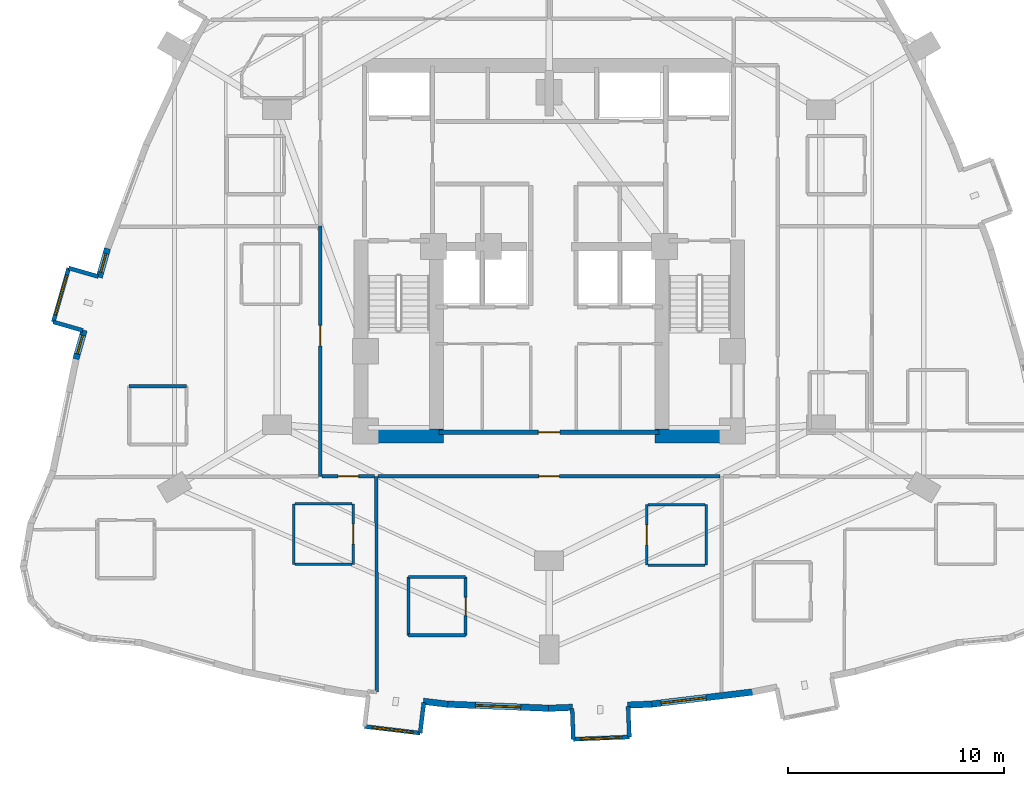
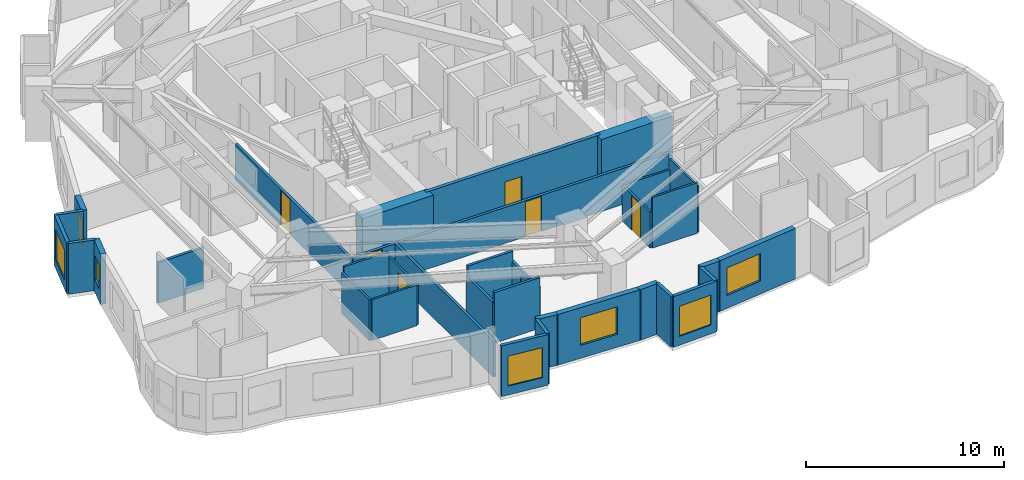
# One storey, part 5 of 11: 35 walls, 7 doors, 7 windows, 14 openings.
"""IFC4 building model written with IfcOpenShell, lengths in metres."""

from ifc_helpers import new_model, si_unit, direction, frame, frame_2d, origin, place, context, subcontext, project, spatial, rectangle, extrude, material, layer, layer_set, type_object, element, fill, save


model = new_model("IFC4")

# Units and contexts
model_context = context("Model", 3, precision=1e-05, world=origin(), true_north=direction((0.0, 1.0)))
body_context = subcontext(model_context, "Body", "Model", "MODEL_VIEW")
ifc_project = project(units=[si_unit("LENGTHUNIT", "METRE"), si_unit("AREAUNIT", "SQUARE_METRE"), si_unit("VOLUMEUNIT", "CUBIC_METRE"), si_unit("PLANEANGLEUNIT", "RADIAN"), si_unit("MASSUNIT", "GRAM", prefix="KILO")], contexts=[model_context])

# Site, building, storey
site_placement = place(None, origin())
site = spatial("IfcSite", under=ifc_project, at=site_placement, CompositionType="ELEMENT")
building_placement = place(site_placement, origin())
building = spatial("IfcBuilding", under=site, at=building_placement, Name="Miruveldt Soraemaru", CompositionType="ELEMENT")
storey_placement = place(building_placement, frame((0.0, 0.0, 66.60009765625)))
storey = spatial("IfcBuildingStorey", under=building, at=storey_placement, Name="L18", CompositionType="ELEMENT", Elevation=66.60009765625)

# Walls
ifc_material_1 = material(Name="White powder-coated aluminium EN AW-6060 T6", Category="aluminium")
ifc_layer_1 = layer(ifc_material_1, 0.18994140625, Name="White powder-coated aluminium EN AW-6060 T6", Category="aluminium")
ifc_layer_set_1 = layer_set([ifc_layer_1], Name="White powder-coated aluminium EN AW-6060 T6")
wall_type_1 = type_object("IfcWallType", Name="WALL-BAY-ALU190", PredefinedType="SOLIDWALL", material=ifc_layer_set_1)
for number, where, z_axis, x_axis, name in (
    (1, (23.110107421875, 42.664794921875, 0.0), (0.0, 0.0, 1.0), (-0.961452801096, 0.274970018845, 0.0), "L18 Bay Window Side Cheek 2L"),
    (2, (21.02490234375, 40.556884765625, 0.0), (0.0, 0.0, 1.0), (0.961452801096, -0.274970018845, 0.0), "L18 Bay Window Side Cheek 2R"),
):
    element("IfcWall", number, at=place(storey_placement, frame(where, z_axis=z_axis, x_axis=x_axis)), inside=storey, type_object=wall_type_1, Name=name, PredefinedType="SOLIDWALL", context=body_context, shape_type="SweptSolid", body=[
        extrude(rectangle(XDim=1.425048828125, YDim=0.18994140625, at=frame_2d((0.71240234375, 0.0))), origin(), (0.0, 0.0, 1.0), 3.125),
    ])

# Wall, opening, window
wall_1_placement = place(storey_placement, frame((21.739990234375, 43.056640625, 0.0), z_axis=(0.0, 0.0, 1.0), x_axis=(-0.275031158597, -0.961435313373, 0.0)))
wall_1 = element("IfcWall", 3, at=wall_1_placement, inside=storey, type_object=wall_type_1, Name="L18 Bay Window Front Frame 2", PredefinedType="SOLIDWALL", context=body_context, shape_type="SweptSolid", body=[
    extrude(rectangle(XDim=2.60009765625, YDim=0.18994140625, at=frame_2d((1.300048828125, 0.0))), origin(), (0.0, 0.0, 1.0), 3.125),
])
opening_1_placement = place(wall_1_placement, frame((0.35009765625, 0.0, 0.550048828125)))
opening_1 = element("IfcOpeningElement", 4, at=opening_1_placement, cuts=wall_1, Name="Opening WN-6", PredefinedType="OPENING", context=body_context, shape_type="SweptSolid", body=[
    extrude(rectangle(XDim=1.89990234375, YDim=1.85009765625, at=frame_2d((0.949951171875, 0.925048828125))), frame((0.0, 0.10498046875, 0.0), z_axis=(0.0, -1.0, 0.0), x_axis=(1.0, 0.0, 0.0)), (0.0, 0.0, 1.0), 0.2099609375),
])
ifc_material_2 = material(Name="Triple low-e insulated glazing", Category="glass")
window_type_1 = type_object("IfcWindowType", Name="WIN-BAYW-1900x1850", PartitioningType="SINGLE_PANEL", PredefinedType="WINDOW", material=ifc_material_2)
window_1_placement = place(opening_1_placement, origin())
window_1 = element("IfcWindow", 5, at=window_1_placement, inside=storey, type_object=window_type_1, Name="L18 Projecting Bay Window 2", OverallHeight=1.85009765625, OverallWidth=1.89990234375, PartitioningType="SINGLE_PANEL", PredefinedType="WINDOW", context=body_context, shape_type="SweptSolid", body=[
    extrude(rectangle(XDim=1.89990234375, YDim=1.85009765625, at=frame_2d((0.949951171875, 0.925048828125))), frame((0.0, 0.030029296875, 0.0), z_axis=(0.0, -1.0, 0.0), x_axis=(1.0, 0.0, 0.0)), (0.0, 0.0, 1.0), 0.06005859375),
])
fill(opening_1, window_1)

# Wall
wall_2_placement = place(storey_placement, frame((38.02685546875, 21.504638671875, 0.0), z_axis=(0.0, 0.0, 1.0), x_axis=(0.119077659317, 0.992884943511, 0.0)))
element("IfcWall", 6, at=wall_2_placement, inside=storey, type_object=wall_type_1, Name="L18 Bay Window Side Cheek 3R", PredefinedType="SOLIDWALL", context=body_context, shape_type="SweptSolid", body=[
    extrude(rectangle(XDim=1.425048828125, YDim=0.18994140625, at=frame_2d((0.71240234375, 0.0))), origin(), (0.0, 0.0, 1.0), 3.125),
])

# Wall, opening, window
wall_3_placement = place(storey_placement, frame((35.4453125, 21.814453125, 0.0), z_axis=(0.0, 0.0, 1.0), x_axis=(0.99287550549, -0.119156328397, 0.0)))
wall_3 = element("IfcWall", 7, at=wall_3_placement, inside=storey, type_object=wall_type_1, Name="L18 Bay Window Front Frame 3", PredefinedType="SOLIDWALL", context=body_context, shape_type="SweptSolid", body=[
    extrude(rectangle(XDim=2.60009765625, YDim=0.18994140625, at=frame_2d((1.300048828125, 0.0))), origin(), (0.0, 0.0, 1.0), 3.125),
])
opening_2_placement = place(wall_3_placement, frame((0.35009765625, 0.0, 0.550048828125)))
opening_2 = element("IfcOpeningElement", 8, at=opening_2_placement, cuts=wall_3, Name="Opening WN-6", PredefinedType="OPENING", context=body_context, shape_type="SweptSolid", body=[
    extrude(rectangle(XDim=1.89990234375, YDim=1.85009765625, at=frame_2d((0.949951171875, 0.925048828125))), frame((0.0, 0.10498046875, 0.0), z_axis=(0.0, -1.0, 0.0), x_axis=(1.0, 0.0, 0.0)), (0.0, 0.0, 1.0), 0.2099609375),
])
window_2_placement = place(opening_2_placement, origin())
window_2 = element("IfcWindow", 9, at=window_2_placement, inside=storey, type_object=window_type_1, Name="L18 Projecting Bay Window 3", OverallHeight=1.85009765625, OverallWidth=1.89990234375, PartitioningType="SINGLE_PANEL", PredefinedType="WINDOW", context=body_context, shape_type="SweptSolid", body=[
    extrude(rectangle(XDim=1.89990234375, YDim=1.85009765625, at=frame_2d((0.949951171875, 0.925048828125))), frame((0.0, 0.030029296875, 0.0), z_axis=(0.0, -1.0, 0.0), x_axis=(1.0, 0.0, 0.0)), (0.0, 0.0, 1.0), 0.06005859375),
])
fill(opening_2, window_2)

# Walls
for number, where, z_axis, x_axis, name in (
    (10, (45.06591796875, 22.64404296875, 0.0), (0.0, 0.0, 1.0), (0.039920142234, -0.999202873417, 0.0), "L18 Bay Window Side Cheek 4L"),
    (11, (47.720703125, 21.32421875, 0.0), (0.0, 0.0, 1.0), (-0.039920142234, 0.999202873417, 0.0), "L18 Bay Window Side Cheek 4R"),
):
    element("IfcWall", number, at=place(storey_placement, frame(where, z_axis=z_axis, x_axis=x_axis)), inside=storey, type_object=wall_type_1, Name=name, PredefinedType="SOLIDWALL", context=body_context, shape_type="SweptSolid", body=[
        extrude(rectangle(XDim=1.425048828125, YDim=0.18994140625, at=frame_2d((0.71240234375, 0.0))), origin(), (0.0, 0.0, 1.0), 3.125),
    ])

# Wall, opening, window
wall_4_placement = place(storey_placement, frame((45.122802734375, 21.22021484375, 0.0), z_axis=(0.0, 0.0, 1.0), x_axis=(0.999199608139, 0.040001788654, 0.0)))
wall_4 = element("IfcWall", 12, at=wall_4_placement, inside=storey, type_object=wall_type_1, Name="L18 Bay Window Front Frame 4", PredefinedType="SOLIDWALL", context=body_context, shape_type="SweptSolid", body=[
    extrude(rectangle(XDim=2.60009765625, YDim=0.18994140625, at=frame_2d((1.300048828125, 0.0))), origin(), (0.0, 0.0, 1.0), 3.125),
])
opening_3_placement = place(wall_4_placement, frame((0.35009765625, 0.0, 0.550048828125)))
opening_3 = element("IfcOpeningElement", 13, at=opening_3_placement, cuts=wall_4, Name="Opening WN-6", PredefinedType="OPENING", context=body_context, shape_type="SweptSolid", body=[
    extrude(rectangle(XDim=1.89990234375, YDim=1.85009765625, at=frame_2d((0.949951171875, 0.925048828125))), frame((0.0, 0.10498046875, 0.0), z_axis=(0.0, -1.0, 0.0), x_axis=(1.0, 0.0, 0.0)), (0.0, 0.0, 1.0), 0.2099609375),
])
window_3_placement = place(opening_3_placement, origin())
window_3 = element("IfcWindow", 14, at=window_3_placement, inside=storey, type_object=window_type_1, Name="L18 Projecting Bay Window 4", OverallHeight=1.85009765625, OverallWidth=1.89990234375, PartitioningType="SINGLE_PANEL", PredefinedType="WINDOW", context=body_context, shape_type="SweptSolid", body=[
    extrude(rectangle(XDim=1.89990234375, YDim=1.85009765625, at=frame_2d((0.949951171875, 0.925048828125))), frame((0.0, 0.030029296875, 0.0), z_axis=(0.0, -1.0, 0.0), x_axis=(1.0, 0.0, 0.0)), (0.0, 0.0, 1.0), 0.06005859375),
])
fill(opening_3, window_3)

# Walls
ifc_material_3 = material(Name="Concrete C80/95 (80 MPa)", Category="concrete")
ifc_layer_2 = layer(ifc_material_3, 0.64990234375, Name="Concrete C80/95 (80 MPa)", Category="concrete")
ifc_layer_set_2 = layer_set([ifc_layer_2], Name="Concrete C80/95 (80 MPa)")
wall_type_2 = type_object("IfcWallType", Name="WALL-CW-650", PredefinedType="SHEAR", material=ifc_layer_set_2)
for number, where, z_axis, x_axis, name in (
    (15, (34.949951171875, 35.27490234375, 0.0), (0.0, 0.0, 1.0), (1.0, 0.0, 0.0), "L18 Central Core Shear Wall S1"),
    (16, (48.89990234375, 35.27490234375, 0.0), (0.0, 0.0, 1.0), (1.0, 0.0, 0.0), "L18 Central Core Shear Wall S2"),
):
    element("IfcWall", number, at=place(storey_placement, frame(where, z_axis=z_axis, x_axis=x_axis)), inside=storey, type_object=wall_type_2, Name=name, PredefinedType="SHEAR", context=body_context, shape_type="SweptSolid", body=[
        extrude(rectangle(XDim=4.150146484375, YDim=0.64990234375, at=frame_2d((2.0751953125, 0.0))), origin(), (0.0, 0.0, 1.0), 3.125),
    ])

# Wall, opening, window
ifc_material_4 = material(Name="Precast concrete C45/55 (45 MPa)", Category="concrete")
ifc_layer_3 = layer(ifc_material_4, 0.300048828125, Name="Precast concrete C45/55 (45 MPa)", Category="concrete")
ifc_layer_set_3 = layer_set([ifc_layer_3], Name="Precast concrete C45/55 (45 MPa)")
wall_type_3 = type_object("IfcWallType", Name="WALL-EXT-PC300", PredefinedType="SOLIDWALL", material=ifc_layer_set_3)
wall_5_placement = place(storey_placement, frame((23.5380859375, 43.961181640625, 0.0), z_axis=(0.0, 0.0, 1.0), x_axis=(-0.274952422311, -0.961457833431, 0.0)))
wall_5 = element("IfcWall", 17, at=wall_5_placement, inside=storey, type_object=wall_type_3, Name="L18 Precast Pier Wall 13A", PredefinedType="SOLIDWALL", context=body_context, shape_type="SweptSolid", body=[
    extrude(rectangle(XDim=1.39404296875, YDim=0.300048828125, at=frame_2d((0.697021484375, 0.0))), origin(), (0.0, 0.0, 1.0), 3.125),
])
opening_4_placement = place(wall_5_placement, frame((0.2470703125, 0.0, 0.780029296875)))
opening_4 = element("IfcOpeningElement", 18, at=opening_4_placement, cuts=wall_5, Name="Opening WN-7", PredefinedType="OPENING", context=body_context, shape_type="SweptSolid", body=[
    extrude(rectangle(XDim=0.89990234375, YDim=1.5, at=frame_2d((0.449951171875, 0.75))), frame((0.0, 0.16015625, 0.0), z_axis=(0.0, -1.0, 0.0), x_axis=(1.0, 0.0, 0.0)), (0.0, 0.0, 1.0), 0.320068359375),
])
window_type_2 = type_object("IfcWindowType", Name="WIN-PUNCH-900x1500", PartitioningType="SINGLE_PANEL", PredefinedType="WINDOW", material=ifc_material_2)
window_4_placement = place(opening_4_placement, origin())
window_4 = element("IfcWindow", 19, at=window_4_placement, inside=storey, type_object=window_type_2, Name="L18 Punched Triple-Glazed Window 13A.1", OverallHeight=1.5, OverallWidth=0.89990234375, PartitioningType="SINGLE_PANEL", PredefinedType="WINDOW", context=body_context, shape_type="SweptSolid", body=[
    extrude(rectangle(XDim=0.89990234375, YDim=1.5, at=frame_2d((0.449951171875, 0.75))), frame((0.0, 0.030029296875, 0.0), z_axis=(0.0, -1.0, 0.0), x_axis=(1.0, 0.0, 0.0)), (0.0, 0.0, 1.0), 0.06005859375),
])
fill(opening_4, window_4)

wall_6_placement = place(storey_placement, frame((22.4560546875, 40.1787109375, 0.0), z_axis=(0.0, 0.0, 1.0), x_axis=(-0.274952422311, -0.961457833431, 0.0)))
wall_6 = element("IfcWall", 20, at=wall_6_placement, inside=storey, type_object=wall_type_3, Name="L18 Precast Pier Wall 13B", PredefinedType="SOLIDWALL", context=body_context, shape_type="SweptSolid", body=[
    extrude(rectangle(XDim=1.39404296875, YDim=0.300048828125, at=frame_2d((0.697021484375, 0.0))), origin(), (0.0, 0.0, 1.0), 3.125),
])
opening_5_placement = place(wall_6_placement, frame((0.2470703125, 0.0, 0.780029296875)))
opening_5 = element("IfcOpeningElement", 21, at=opening_5_placement, cuts=wall_6, Name="Opening WN-7", PredefinedType="OPENING", context=body_context, shape_type="SweptSolid", body=[
    extrude(rectangle(XDim=0.89990234375, YDim=1.5, at=frame_2d((0.449951171875, 0.75))), frame((0.0, 0.16015625, 0.0), z_axis=(0.0, -1.0, 0.0), x_axis=(1.0, 0.0, 0.0)), (0.0, 0.0, 1.0), 0.320068359375),
])
window_5_placement = place(opening_5_placement, origin())
window_5 = element("IfcWindow", 22, at=window_5_placement, inside=storey, type_object=window_type_2, Name="L18 Punched Triple-Glazed Window 13B.1", OverallHeight=1.5, OverallWidth=0.89990234375, PartitioningType="SINGLE_PANEL", PredefinedType="WINDOW", context=body_context, shape_type="SweptSolid", body=[
    extrude(rectangle(XDim=0.89990234375, YDim=1.5, at=frame_2d((0.449951171875, 0.75))), frame((0.0, 0.030029296875, 0.0), z_axis=(0.0, -1.0, 0.0), x_axis=(1.0, 0.0, 0.0)), (0.0, 0.0, 1.0), 0.06005859375),
])
fill(opening_5, window_5)

# Wall
wall_7_placement = place(storey_placement, frame((38.17333984375, 22.977783203125, 0.0), z_axis=(0.0, 0.0, 1.0), x_axis=(0.99286674232, -0.119229325232, 0.0)))
element("IfcWall", 23, at=wall_7_placement, inside=storey, type_object=wall_type_3, Name="L18 Precast Pier Wall 23B", PredefinedType="SOLIDWALL", context=body_context, shape_type="SweptSolid", body=[
    extrude(rectangle(XDim=1.14453125, YDim=0.300048828125, at=frame_2d((0.572265625, 0.0))), origin(), (0.0, 0.0, 1.0), 3.125),
])

# Wall, opening, window
wall_8_placement = place(storey_placement, frame((39.239990234375, 22.846923828125, 0.0), z_axis=(0.0, 0.0, 1.0), x_axis=(0.999200145803, -0.039988356141, 0.0)))
wall_8 = element("IfcWall", 24, at=wall_8_placement, inside=storey, type_object=wall_type_3, Name="L18 Precast Concrete Facade Wall 24", PredefinedType="SOLIDWALL", context=body_context, shape_type="SweptSolid", body=[
    extrude(rectangle(XDim=4.798828125, YDim=0.300048828125, at=frame_2d((2.3994140625, 0.0))), origin(), (0.0, 0.0, 1.0), 3.125),
])
opening_6_placement = place(wall_8_placement, frame((1.34912109375, 0.0, 0.800048828125)))
opening_6 = element("IfcOpeningElement", 25, at=opening_6_placement, cuts=wall_8, Name="Opening WN-1", PredefinedType="OPENING", context=body_context, shape_type="SweptSolid", body=[
    extrude(rectangle(XDim=2.10009765625, YDim=1.699951171875, at=frame_2d((1.050048828125, 0.85009765625))), frame((0.0, 0.16015625, 0.0), z_axis=(0.0, -1.0, 0.0), x_axis=(1.0, 0.0, 0.0)), (0.0, 0.0, 1.0), 0.320068359375),
])
window_type_3 = type_object("IfcWindowType", Name="WIN-PUNCH-2100x1700", PartitioningType="SINGLE_PANEL", PredefinedType="WINDOW", material=ifc_material_2)
window_6_placement = place(opening_6_placement, origin())
window_6 = element("IfcWindow", 26, at=window_6_placement, inside=storey, type_object=window_type_3, Name="L18 Punched Triple-Glazed Window 24.1", OverallHeight=1.699951171875, OverallWidth=2.10009765625, PartitioningType="SINGLE_PANEL", PredefinedType="WINDOW", context=body_context, shape_type="SweptSolid", body=[
    extrude(rectangle(XDim=2.10009765625, YDim=1.699951171875, at=frame_2d((1.050048828125, 0.85009765625))), frame((0.0, 0.030029296875, 0.0), z_axis=(0.0, -1.0, 0.0), x_axis=(1.0, 0.0, 0.0)), (0.0, 0.0, 1.0), 0.06005859375),
])
fill(opening_6, window_6)

# Walls
for number, where, z_axis, x_axis, name in (
    (27, (43.965087890625, 22.655029296875, 0.0), (0.0, 0.0, 1.0), (0.999199922363, 0.039993938909, 0.0), "L18 Precast Pier Wall 25A"),
    (28, (47.631591796875, 22.8017578125, 0.0), (0.0, 0.0, 1.0), (0.999199922363, 0.039993938909, 0.0), "L18 Precast Pier Wall 25B"),
):
    element("IfcWall", number, at=place(storey_placement, frame(where, z_axis=z_axis, x_axis=x_axis)), inside=storey, type_object=wall_type_3, Name=name, PredefinedType="SOLIDWALL", context=body_context, shape_type="SweptSolid", body=[
        extrude(rectangle(XDim=1.12939453125, YDim=0.300048828125, at=frame_2d((0.564697265625, 0.0))), origin(), (0.0, 0.0, 1.0), 3.125),
    ])

# Wall, opening, window
wall_9_placement = place(storey_placement, frame((48.690185546875, 22.84130859375, 0.0), z_axis=(0.0, 0.0, 1.0), x_axis=(0.99287564237, 0.119155187834, 0.0)))
wall_9 = element("IfcWall", 29, at=wall_9_placement, inside=storey, type_object=wall_type_3, Name="L18 Precast Concrete Facade Wall 26", PredefinedType="SOLIDWALL", context=body_context, shape_type="SweptSolid", body=[
    extrude(rectangle(XDim=4.829345703125, YDim=0.300048828125, at=frame_2d((2.41455078125, 0.0))), origin(), (0.0, 0.0, 1.0), 3.125),
])
opening_7_placement = place(wall_9_placement, frame((0.501953125, 0.0, 0.800048828125)))
opening_7 = element("IfcOpeningElement", 30, at=opening_7_placement, cuts=wall_9, Name="Opening WN-1", PredefinedType="OPENING", context=body_context, shape_type="SweptSolid", body=[
    extrude(rectangle(XDim=2.10009765625, YDim=1.699951171875, at=frame_2d((1.050048828125, 0.85009765625))), frame((0.0, 0.16015625, 0.0), z_axis=(0.0, -1.0, 0.0), x_axis=(1.0, 0.0, 0.0)), (0.0, 0.0, 1.0), 0.320068359375),
])
window_7_placement = place(opening_7_placement, origin())
window_7 = element("IfcWindow", 31, at=window_7_placement, inside=storey, type_object=window_type_3, Name="L18 Punched Triple-Glazed Window 26.1", OverallHeight=1.699951171875, OverallWidth=2.10009765625, PartitioningType="SINGLE_PANEL", PredefinedType="WINDOW", context=body_context, shape_type="SweptSolid", body=[
    extrude(rectangle(XDim=2.10009765625, YDim=1.699951171875, at=frame_2d((1.050048828125, 0.85009765625))), frame((0.0, 0.030029296875, 0.0), z_axis=(0.0, -1.0, 0.0), x_axis=(1.0, 0.0, 0.0)), (0.0, 0.0, 1.0), 0.06005859375),
])
fill(opening_7, window_7)

# Wall, opening, door
ifc_material_5 = material(Name="Gypsum plasterboard lining", Category="gypsum")
ifc_layer_4 = layer(ifc_material_5, 0.1201171875, Name="Gypsum plasterboard lining", Category="gypsum")
ifc_layer_set_4 = layer_set([ifc_layer_4], Name="Gypsum plasterboard lining")
wall_type_4 = type_object("IfcWallType", Name="WALL-INT-P120", PredefinedType="PARTITIONING", material=ifc_layer_set_4)
wall_10_placement = place(storey_placement, frame((34.9169921875, 29.326904296875, 0.0), z_axis=(0.0, 0.0, 1.0), x_axis=(0.0, 1.0, 0.0)))
wall_10 = element("IfcWall", 32, at=wall_10_placement, inside=storey, type_object=wall_type_4, Name="L18 Partition Wall 82", PredefinedType="PARTITIONING", context=body_context, shape_type="SweptSolid", body=[
    extrude(rectangle(XDim=2.800048828125, YDim=0.1201171875, at=frame_2d((1.39990234375, 0.0))), origin(), (0.0, 0.0, 1.0), 2.512939453125),
])
opening_8_placement = place(wall_10_placement, frame((0.93994140625, 0.0, 0.0)))
opening_8 = element("IfcOpeningElement", 33, at=opening_8_placement, cuts=wall_10, Name="Opening D3A", PredefinedType="OPENING", context=body_context, shape_type="SweptSolid", body=[
    extrude(rectangle(XDim=0.919921875, YDim=2.10009765625, at=frame_2d((0.4599609375, 1.050048828125))), frame((0.0, 0.070068359375, 0.0), z_axis=(0.0, -1.0, 0.0), x_axis=(1.0, 0.0, 0.0)), (0.0, 0.0, 1.0), 0.14013671875),
])
ifc_material_6 = material(Name="Anodised aluminium EN AW-6063 T6", Category="aluminium")
door_type_1 = type_object("IfcDoorType", Name="DOOR-INT-920", OperationType="NOTDEFINED", PredefinedType="DOOR", material=ifc_material_6)
door_1_placement = place(opening_8_placement, origin())
door_1 = element("IfcDoor", 34, at=door_1_placement, inside=storey, type_object=door_type_1, Name="L18 Unit 1807 KIT Door", OperationType="SINGLE_SWING_LEFT", OverallHeight=2.10009765625, OverallWidth=0.919921875, PredefinedType="DOOR", context=body_context, shape_type="SweptSolid", body=[
    extrude(rectangle(XDim=0.919921875, YDim=2.10009765625, at=frame_2d((0.4599609375, 1.050048828125))), frame((0.0, 0.02490234375, 0.0), z_axis=(0.0, -1.0, 0.0), x_axis=(1.0, 0.0, 0.0)), (0.0, 0.0, 1.0), 0.050048828125),
])
fill(opening_8, door_1)

wall_11_placement = place(storey_placement, frame((48.530029296875, 32.089111328125, 0.0), z_axis=(0.0, 0.0, 1.0), x_axis=(0.0, -1.0, 0.0)))
wall_11 = element("IfcWall", 35, at=wall_11_placement, inside=storey, type_object=wall_type_4, Name="L18 Partition Wall 99", PredefinedType="PARTITIONING", context=body_context, shape_type="SweptSolid", body=[
    extrude(rectangle(XDim=2.800048828125, YDim=0.1201171875, at=frame_2d((1.39990234375, 0.0))), origin(), (0.0, 0.0, 1.0), 2.219970703125),
])
opening_9_placement = place(wall_11_placement, frame((0.93994140625, 0.0, 0.0)))
opening_9 = element("IfcOpeningElement", 36, at=opening_9_placement, cuts=wall_11, Name="Opening D3A", PredefinedType="OPENING", context=body_context, shape_type="SweptSolid", body=[
    extrude(rectangle(XDim=0.919921875, YDim=2.10009765625, at=frame_2d((0.4599609375, 1.050048828125))), frame((0.0, 0.070068359375, 0.0), z_axis=(0.0, -1.0, 0.0), x_axis=(1.0, 0.0, 0.0)), (0.0, 0.0, 1.0), 0.14013671875),
])
door_2_placement = place(opening_9_placement, origin())
door_2 = element("IfcDoor", 37, at=door_2_placement, inside=storey, type_object=door_type_1, Name="L18 Unit CL08 KIT Door", OperationType="SINGLE_SWING_LEFT", OverallHeight=2.10009765625, OverallWidth=0.919921875, PredefinedType="DOOR", context=body_context, shape_type="SweptSolid", body=[
    extrude(rectangle(XDim=0.919921875, YDim=2.10009765625, at=frame_2d((0.4599609375, 1.050048828125))), frame((0.0, 0.02490234375, 0.0), z_axis=(0.0, -1.0, 0.0), x_axis=(1.0, 0.0, 0.0)), (0.0, 0.0, 1.0), 0.050048828125),
])
fill(opening_9, door_2)

# Walls
wall_12_placement = place(storey_placement, frame((32.1669921875, 32.126953125, 0.0), z_axis=(0.0, 0.0, 1.0), x_axis=(0.0, -1.0, 0.0)))
element("IfcWall", 38, at=wall_12_placement, inside=storey, type_object=wall_type_4, Name="L18 Partition Wall 84", PredefinedType="PARTITIONING", context=body_context, shape_type="SweptSolid", body=[
    extrude(rectangle(XDim=2.800048828125, YDim=0.1201171875, at=frame_2d((1.39990234375, 0.0))), origin(), (0.0, 0.0, 1.0), 2.512939453125),
])
wall_13_placement = place(storey_placement, frame((51.280029296875, 29.2890625, 0.0), z_axis=(0.0, 0.0, 1.0), x_axis=(0.0, 1.0, 0.0)))
element("IfcWall", 39, at=wall_13_placement, inside=storey, type_object=wall_type_4, Name="L18 Partition Wall 97", PredefinedType="PARTITIONING", context=body_context, shape_type="SweptSolid", body=[
    extrude(rectangle(XDim=2.800048828125, YDim=0.1201171875, at=frame_2d((1.39990234375, 0.0))), origin(), (0.0, 0.0, 1.0), 2.86279296875),
])
wall_14_placement = place(storey_placement, frame((34.85693359375, 32.126953125, 0.0), z_axis=(0.0, 0.0, 1.0), x_axis=(-1.0, 0.0, 0.0)))
element("IfcWall", 40, at=wall_14_placement, inside=storey, type_object=wall_type_4, Name="L18 Partition Wall 83", PredefinedType="PARTITIONING", context=body_context, shape_type="SweptSolid", body=[
    extrude(rectangle(XDim=2.6298828125, YDim=0.1201171875, at=frame_2d((1.31494140625, 0.0))), origin(), (0.0, 0.0, 1.0), 2.86279296875),
])
wall_15_placement = place(storey_placement, frame((32.22705078125, 29.326904296875, 0.0), z_axis=(0.0, 0.0, 1.0), x_axis=(1.0, 0.0, 0.0)))
element("IfcWall", 41, at=wall_15_placement, inside=storey, type_object=wall_type_4, Name="L18 Partition Wall 85", PredefinedType="PARTITIONING", context=body_context, shape_type="SweptSolid", body=[
    extrude(rectangle(XDim=2.6298828125, YDim=0.1201171875, at=frame_2d((1.31494140625, 0.0))), origin(), (0.0, 0.0, 1.0), 2.512939453125),
])
wall_16_placement = place(storey_placement, frame((51.219970703125, 32.089111328125, 0.0), z_axis=(0.0, 0.0, 1.0), x_axis=(-1.0, 0.0, 0.0)))
element("IfcWall", 42, at=wall_16_placement, inside=storey, type_object=wall_type_4, Name="L18 Partition Wall 98", PredefinedType="PARTITIONING", context=body_context, shape_type="SweptSolid", body=[
    extrude(rectangle(XDim=2.6298828125, YDim=0.1201171875, at=frame_2d((1.31494140625, 0.0))), origin(), (0.0, 0.0, 1.0), 2.219970703125),
])
wall_17_placement = place(storey_placement, frame((48.590087890625, 29.2890625, 0.0), z_axis=(0.0, 0.0, 1.0), x_axis=(1.0, 0.0, 0.0)))
element("IfcWall", 43, at=wall_17_placement, inside=storey, type_object=wall_type_4, Name="L18 Partition Wall 100", PredefinedType="PARTITIONING", context=body_context, shape_type="SweptSolid", body=[
    extrude(rectangle(XDim=2.6298828125, YDim=0.1201171875, at=frame_2d((1.31494140625, 0.0))), origin(), (0.0, 0.0, 1.0), 3.125),
])

# Wall, opening, door
ifc_layer_5 = layer(ifc_material_5, 0.14990234375, Name="Gypsum plasterboard lining", Category="gypsum")
ifc_layer_set_5 = layer_set([ifc_layer_5], Name="Gypsum plasterboard lining")
wall_type_5 = type_object("IfcWallType", Name="WALL-INT-PLUMB", PredefinedType="PLUMBINGWALL", material=ifc_layer_set_5)
wall_18_placement = place(storey_placement, frame((40.1298828125, 26.0390625, 0.0), z_axis=(0.0, 0.0, 1.0), x_axis=(0.0, 1.0, 0.0)))
wall_18 = element("IfcWall", 44, at=wall_18_placement, inside=storey, type_object=wall_type_5, Name="L18 Partition Wall 93", PredefinedType="PLUMBINGWALL", context=body_context, shape_type="SweptSolid", body=[
    extrude(rectangle(XDim=2.699951171875, YDim=0.14990234375, at=frame_2d((1.35009765625, 0.0))), origin(), (0.0, 0.0, 1.0), 2.512939453125),
])
opening_10_placement = place(wall_18_placement, frame((0.909912109375, 0.0, 0.0)))
opening_10 = element("IfcOpeningElement", 45, at=opening_10_placement, cuts=wall_18, Name="Opening FD3", PredefinedType="OPENING", context=body_context, shape_type="SweptSolid", body=[
    extrude(rectangle(XDim=0.85009765625, YDim=2.10009765625, at=frame_2d((0.425048828125, 1.050048828125))), frame((0.0, 0.0849609375, 0.0), z_axis=(0.0, -1.0, 0.0), x_axis=(1.0, 0.0, 0.0)), (0.0, 0.0, 1.0), 0.169921875),
])
door_type_2 = type_object("IfcDoorType", Name="DOOR-FD3-850", OperationType="NOTDEFINED", PredefinedType="DOOR", material=ifc_material_6)
door_3_placement = place(opening_10_placement, origin())
door_3 = element("IfcDoor", 46, at=door_3_placement, inside=storey, type_object=door_type_2, Name="L18 Unit CL08 BTH Door", OperationType="SINGLE_SWING_RIGHT", OverallHeight=2.10009765625, OverallWidth=0.85009765625, PredefinedType="DOOR", context=body_context, shape_type="SweptSolid", body=[
    extrude(rectangle(XDim=0.85009765625, YDim=2.10009765625, at=frame_2d((0.425048828125, 1.050048828125))), frame((0.0, 0.02490234375, 0.0), z_axis=(0.0, -1.0, 0.0), x_axis=(1.0, 0.0, 0.0)), (0.0, 0.0, 1.0), 0.050048828125),
])
fill(opening_10, door_3)

# Walls
wall_19_placement = place(storey_placement, frame((37.47998046875, 28.739013671875, 0.0), z_axis=(0.0, 0.0, 1.0), x_axis=(0.0, -1.0, 0.0)))
element("IfcWall", 47, at=wall_19_placement, inside=storey, type_object=wall_type_5, Name="L18 Partition Wall 95", PredefinedType="PLUMBINGWALL", context=body_context, shape_type="SweptSolid", body=[
    extrude(rectangle(XDim=2.699951171875, YDim=0.14990234375, at=frame_2d((1.35009765625, 0.0))), origin(), (0.0, 0.0, 1.0), 2.512939453125),
])
for number, where, z_axis, x_axis, name in (
    (48, (40.1298828125, 28.739013671875, 0.0), (0.0, 0.0, 1.0), (-1.0, 0.0, 0.0), "L18 Partition Wall 94"),
    (49, (37.47998046875, 26.0390625, 0.0), (0.0, 0.0, 1.0), (1.0, 0.0, 0.0), "L18 Partition Wall 96"),
):
    element("IfcWall", number, at=place(storey_placement, frame(where, z_axis=z_axis, x_axis=x_axis)), inside=storey, type_object=wall_type_5, Name=name, PredefinedType="PLUMBINGWALL", context=body_context, shape_type="SweptSolid", body=[
        extrude(rectangle(XDim=2.64990234375, YDim=0.14990234375, at=frame_2d((1.324951171875, 0.0))), origin(), (0.0, 0.0, 1.0), 3.125),
    ])
wall_20_placement = place(storey_placement, frame((27.196044921875, 37.580078125, 0.0), z_axis=(0.0, 0.0, 1.0), x_axis=(-1.0, 0.0, 0.0)))
element("IfcWall", 50, at=wall_20_placement, inside=storey, type_object=wall_type_5, Name="L18 Partition Wall 53", PredefinedType="PLUMBINGWALL", context=body_context, shape_type="SweptSolid", body=[
    extrude(rectangle(XDim=2.650146484375, YDim=0.14990234375, at=frame_2d((1.3251953125, 0.0))), origin(), (0.0, 0.0, 1.0), 2.512939453125),
])

# Wall, opening, door
ifc_material_7 = material(Name="Concrete C40/50 (40 MPa)", Category="concrete")
ifc_layer_6 = layer(ifc_material_7, 0.159912109375, Name="Concrete C40/50 (40 MPa)", Category="concrete")
ifc_layer_set_6 = layer_set([ifc_layer_6], Name="Concrete C40/50 (40 MPa)")
wall_type_6 = type_object("IfcWallType", Name="WALL-INT-RC160", PredefinedType="SOLIDWALL", material=ifc_layer_set_6)
wall_21_placement = place(storey_placement, frame((36.080078125, 33.39990234375, 0.0), z_axis=(0.0, 0.0, 1.0), x_axis=(1.0, 0.0, 0.0)))
wall_21 = element("IfcWall", 51, at=wall_21_placement, inside=storey, type_object=wall_type_6, Name="L18 Partition Wall 10", PredefinedType="SOLIDWALL", context=body_context, shape_type="SweptSolid", body=[
    extrude(rectangle(XDim=15.83984375, YDim=0.159912109375, at=frame_2d((7.919921875, 0.0))), origin(), (0.0, 0.0, 1.0), 2.219970703125),
])
opening_11_placement = place(wall_21_placement, frame((7.445068359375, 0.0, 0.0)))
opening_11 = element("IfcOpeningElement", 52, at=opening_11_placement, cuts=wall_21, Name="Opening FD2", PredefinedType="OPENING", context=body_context, shape_type="SweptSolid", body=[
    extrude(rectangle(XDim=0.949951171875, YDim=2.14990234375, at=frame_2d((0.47509765625, 1.074951171875))), frame((0.0, 0.08984375, 0.0), z_axis=(0.0, -1.0, 0.0), x_axis=(1.0, 0.0, 0.0)), (0.0, 0.0, 1.0), 0.179931640625),
])
door_type_3 = type_object("IfcDoorType", Name="DOOR-FD2-950", OperationType="NOTDEFINED", PredefinedType="DOOR", material=ifc_material_6)
door_4_placement = place(opening_11_placement, origin())
door_4 = element("IfcDoor", 53, at=door_4_placement, inside=storey, type_object=door_type_3, Name="L18 Unit CL08 Entrance Fire Door", OperationType="SINGLE_SWING_LEFT", OverallHeight=2.14990234375, OverallWidth=0.949951171875, PredefinedType="DOOR", context=body_context, shape_type="SweptSolid", body=[
    extrude(rectangle(XDim=0.949951171875, YDim=2.14990234375, at=frame_2d((0.47509765625, 1.074951171875))), frame((0.0, 0.02490234375, 0.0), z_axis=(0.0, -1.0, 0.0), x_axis=(1.0, 0.0, 0.0)), (0.0, 0.0, 1.0), 0.050048828125),
])
fill(opening_11, door_4)

wall_22_placement = place(storey_placement, frame((33.39990234375, 45.0, 0.0), z_axis=(0.0, 0.0, 1.0), x_axis=(0.0, -1.0, 0.0)))
wall_22 = element("IfcWall", 54, at=wall_22_placement, inside=storey, type_object=wall_type_6, Name="L18 Partition Wall 4", PredefinedType="SOLIDWALL", context=body_context, shape_type="SweptSolid", body=[
    extrude(rectangle(XDim=11.60009765625, YDim=0.159912109375, at=frame_2d((5.800048828125, 0.0))), origin(), (0.0, 0.0, 1.0), 2.219970703125),
])
opening_12_placement = place(wall_22_placement, frame((4.60498046875, 0.0, 0.0)))
opening_12 = element("IfcOpeningElement", 55, at=opening_12_placement, cuts=wall_22, Name="Opening FD2", PredefinedType="OPENING", context=body_context, shape_type="SweptSolid", body=[
    extrude(rectangle(XDim=0.949951171875, YDim=2.14990234375, at=frame_2d((0.47509765625, 1.074951171875))), frame((0.0, 0.08984375, 0.0), z_axis=(0.0, -1.0, 0.0), x_axis=(1.0, 0.0, 0.0)), (0.0, 0.0, 1.0), 0.179931640625),
])
door_5_placement = place(opening_12_placement, origin())
door_5 = element("IfcDoor", 56, at=door_5_placement, inside=storey, type_object=door_type_3, Name="L18 Unit CL04 Entrance Fire Door", OperationType="SINGLE_SWING_RIGHT", OverallHeight=2.14990234375, OverallWidth=0.949951171875, PredefinedType="DOOR", context=body_context, shape_type="SweptSolid", body=[
    extrude(rectangle(XDim=0.949951171875, YDim=2.14990234375, at=frame_2d((0.47509765625, 1.074951171875))), frame((0.0, 0.02490234375, 0.0), z_axis=(0.0, -1.0, 0.0), x_axis=(1.0, 0.0, 0.0)), (0.0, 0.0, 1.0), 0.050048828125),
])
fill(opening_12, door_5)

wall_23_placement = place(storey_placement, frame((33.47998046875, 33.39990234375, 0.0), z_axis=(0.0, 0.0, 1.0), x_axis=(1.0, 0.0, 0.0)))
wall_23 = element("IfcWall", 57, at=wall_23_placement, inside=storey, type_object=wall_type_6, Name="L18 Partition Wall 9", PredefinedType="SOLIDWALL", context=body_context, shape_type="SweptSolid", body=[
    extrude(rectangle(XDim=2.43994140625, YDim=0.159912109375, at=frame_2d((1.219970703125, 0.0))), origin(), (0.0, 0.0, 1.0), 2.219970703125),
])
opening_13_placement = place(wall_23_placement, frame((0.7451171875, 0.0, 0.0)))
opening_13 = element("IfcOpeningElement", 58, at=opening_13_placement, cuts=wall_23, Name="Opening FD2", PredefinedType="OPENING", context=body_context, shape_type="SweptSolid", body=[
    extrude(rectangle(XDim=0.949951171875, YDim=2.14990234375, at=frame_2d((0.47509765625, 1.074951171875))), frame((0.0, 0.08984375, 0.0), z_axis=(0.0, -1.0, 0.0), x_axis=(1.0, 0.0, 0.0)), (0.0, 0.0, 1.0), 0.179931640625),
])
door_6_placement = place(opening_13_placement, origin())
door_6 = element("IfcDoor", 59, at=door_6_placement, inside=storey, type_object=door_type_3, Name="L18 Unit 1807 Entrance Fire Door", OperationType="SINGLE_SWING_LEFT", OverallHeight=2.14990234375, OverallWidth=0.949951171875, PredefinedType="DOOR", context=body_context, shape_type="SweptSolid", body=[
    extrude(rectangle(XDim=0.949951171875, YDim=2.14990234375, at=frame_2d((0.47509765625, 1.074951171875))), frame((0.0, 0.02490234375, 0.0), z_axis=(0.0, -1.0, 0.0), x_axis=(1.0, 0.0, 0.0)), (0.0, 0.0, 1.0), 0.050048828125),
])
fill(opening_13, door_6)

# Wall
wall_24_placement = place(storey_placement, frame((36.010009765625, 23.403076171875, 0.0), z_axis=(0.0, 0.0, 1.0), x_axis=(-0.001001293854, 0.999999498705, 0.0)))
element("IfcWall", 60, at=wall_24_placement, inside=storey, type_object=wall_type_6, Name="L18 Partition Wall 89", PredefinedType="SOLIDWALL", context=body_context, shape_type="SweptSolid", body=[
    extrude(rectangle(XDim=9.996826171875, YDim=0.159912109375, at=frame_2d((4.99853515625, 0.0))), origin(), (0.0, 0.0, 1.0), 2.219970703125),
])

# Wall, opening, door
ifc_layer_7 = layer(ifc_material_7, 0.199951171875, Name="Concrete C40/50 (40 MPa)", Category="concrete")
ifc_layer_set_7 = layer_set([ifc_layer_7], Name="Concrete C40/50 (40 MPa)")
wall_type_7 = type_object("IfcWallType", Name="WALL-INT-RC200", PredefinedType="SOLIDWALL", material=ifc_layer_set_7)
wall_25_placement = place(storey_placement, frame((38.89990234375, 35.449951171875, 0.0), z_axis=(0.0, 0.0, 1.0), x_axis=(1.0, 0.0, 0.0)))
wall_25 = element("IfcWall", 61, at=wall_25_placement, inside=storey, type_object=wall_type_7, Name="L18 Core Compartment Wall CS-S", PredefinedType="SOLIDWALL", context=body_context, shape_type="SweptSolid", body=[
    extrude(rectangle(XDim=10.2001953125, YDim=0.199951171875, at=frame_2d((5.10009765625, 0.0))), origin(), (0.0, 0.0, 1.0), 3.125),
])
opening_14_placement = place(wall_25_placement, frame((4.60009765625, 0.0, 0.0)))
opening_14 = element("IfcOpeningElement", 62, at=opening_14_placement, cuts=wall_25, Name="Opening FD1", PredefinedType="OPENING", context=body_context, shape_type="SweptSolid", body=[
    extrude(rectangle(XDim=1.0, YDim=2.14990234375, at=frame_2d((0.5, 1.074951171875))), frame((0.0, 0.10986328125, 0.0), z_axis=(0.0, -1.0, 0.0), x_axis=(1.0, 0.0, 0.0)), (0.0, 0.0, 1.0), 0.219970703125),
])
door_type_4 = type_object("IfcDoorType", Name="DOOR-FD1-1000", OperationType="NOTDEFINED", PredefinedType="DOOR", material=ifc_material_6)
door_7_placement = place(opening_14_placement, origin())
door_7 = element("IfcDoor", 63, at=door_7_placement, inside=storey, type_object=door_type_4, Name="L18 Core South Lobby Fire Door", OperationType="SINGLE_SWING_LEFT", OverallHeight=2.14990234375, OverallWidth=1.0, PredefinedType="DOOR", context=body_context, shape_type="SweptSolid", body=[
    extrude(rectangle(XDim=1.0, YDim=2.14990234375, at=frame_2d((0.5, 1.074951171875))), frame((0.0, 0.02490234375, 0.0), z_axis=(0.0, -1.0, 0.0), x_axis=(1.0, 0.0, 0.0)), (0.0, 0.0, 1.0), 0.050048828125),
])
fill(opening_14, door_7)

save(model, "model.ifc")
